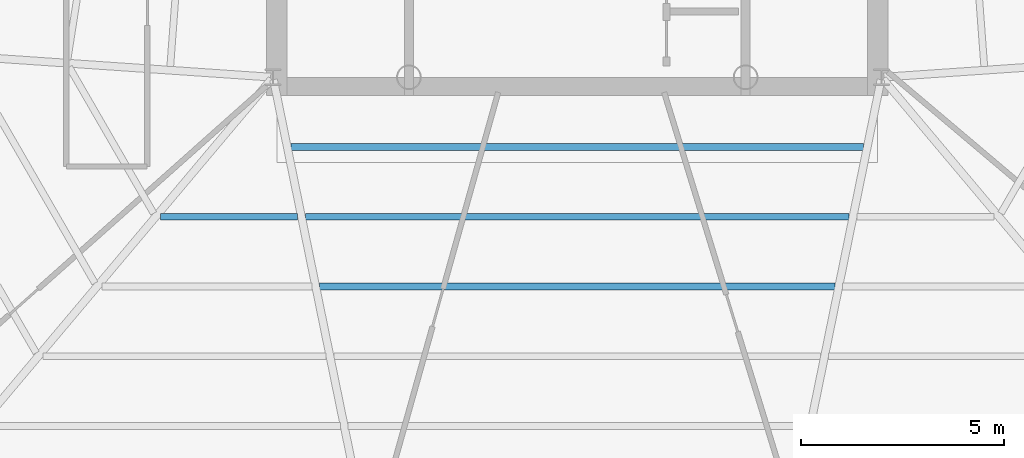
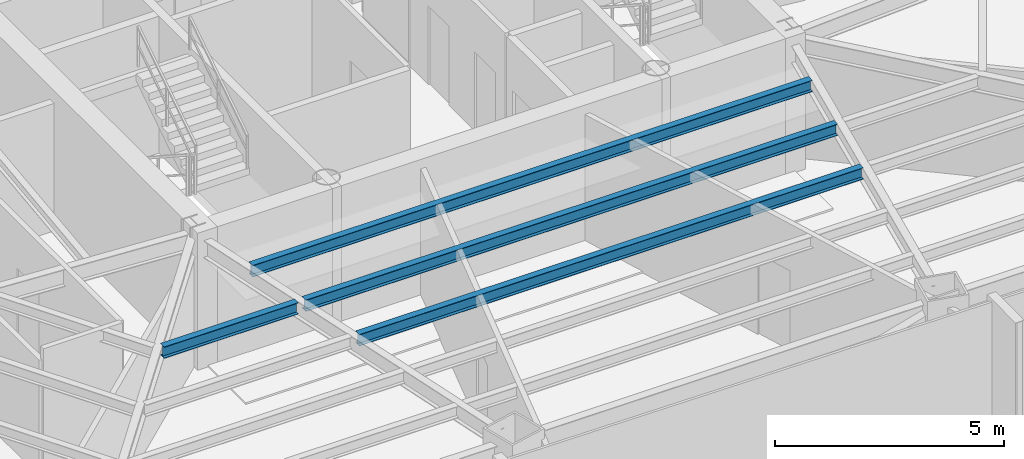
# One storey, part 11 of 39: 4 beams.
"""IFC4 building model written with IfcOpenShell, lengths in metres."""

from ifc_helpers import new_model, si_unit, direction, frame, origin, origin_2d, place, context, subcontext, project, spatial, i_section, extrude, source, transform, mapped, material, material_profile, profile_set, type_object, type_shapes, element, save


model = new_model("IFC4")

# Units and contexts
model_context = context("Model", 3, precision=1e-05, world=origin(), true_north=direction((0.0, 1.0)))
body_context = subcontext(model_context, "Body", "Model", "MODEL_VIEW")
ifc_project = project(units=[si_unit("LENGTHUNIT", "METRE"), si_unit("AREAUNIT", "SQUARE_METRE"), si_unit("VOLUMEUNIT", "CUBIC_METRE"), si_unit("PLANEANGLEUNIT", "RADIAN"), si_unit("MASSUNIT", "GRAM", prefix="KILO")], contexts=[model_context])

# Site, building, storey
site_placement = place(None, origin())
site = spatial("IfcSite", under=ifc_project, at=site_placement, CompositionType="ELEMENT")
building_placement = place(site_placement, origin())
building = spatial("IfcBuilding", under=site, at=building_placement, Name="Caelisora Broadcast Tower", CompositionType="ELEMENT")
storey_placement = place(building_placement, frame((0.0, 0.0, 139.10009765625)))
storey = spatial("IfcBuildingStorey", under=building, at=storey_placement, Name="L36", CompositionType="ELEMENT", Elevation=139.10009765625)

# Beams
ifc_material = material(Name="Steel Grade 350 (AS/NZS 3679.1)", Category="steel")
ifc_material_profile = material_profile(ifc_material, i_section(OverallWidth=0.166015625, OverallDepth=0.30712890625, WebThickness=0.006591796875, FlangeThickness=0.01171875, at=origin_2d()), Name="Steel Grade 350 (AS/NZS 3679.1)")
ifc_profile_set = profile_set([ifc_material_profile], Name="Steel Grade 350 (AS/NZS 3679.1)")
beam_type = type_object("IfcBeamType", Name="SB03", PredefinedType="JOIST", material=ifc_profile_set)
shared_shape_1 = source(origin(), body_context, "Body", "SweptSolid", [
    extrude(i_section(OverallWidth=0.166015625, OverallDepth=0.30712890625, WebThickness=0.006591796875, FlangeThickness=0.01171875, at=origin_2d()), origin(), (0.0, 0.0, 1.0), 3.380126953125),
])
beam_1_placement = place(storey_placement, frame((27.727294921875, 13.960205078125, 3.246337890625), z_axis=(1.0, 0.0, 0.0), x_axis=(0.0, 1.0, 0.0)))
element("IfcBeam", 1, at=beam_1_placement, inside=storey, type_object=beam_type, Name="L36 beam SB03", PredefinedType="JOIST", context=body_context, shape_type="MappedRepresentation", body=[
    mapped(shared_shape_1, transform((0.0, 0.0, 0.0), scale=1.0)),
])
shared_shape_2 = source(origin(), body_context, "Body", "SweptSolid", [
    extrude(i_section(OverallWidth=0.166015625, OverallDepth=0.30712890625, WebThickness=0.006591796875, FlangeThickness=0.01171875, at=origin_2d()), origin(), (0.0, 0.0, 1.0), 14.109375),
])
beam_2_placement = place(storey_placement, frame((30.9453125, 15.68017578125, 3.246337890625), z_axis=(1.0, 0.0, 0.0), x_axis=(0.0, 1.0, 0.0)))
element("IfcBeam", 2, at=beam_2_placement, inside=storey, type_object=beam_type, Name="L36 beam SB03", PredefinedType="JOIST", context=body_context, shape_type="MappedRepresentation", body=[
    mapped(shared_shape_2, transform((0.0, 0.0, 0.0), scale=1.0)),
])
shared_shape_3 = source(origin(), body_context, "Body", "SweptSolid", [
    extrude(i_section(OverallWidth=0.166015625, OverallDepth=0.30712890625, WebThickness=0.006591796875, FlangeThickness=0.01171875, at=origin_2d()), origin(), (0.0, 0.0, 1.0), 13.4072265625),
])
beam_3_placement = place(storey_placement, frame((31.29638671875, 13.960205078125, 3.246337890625), z_axis=(1.0, 0.0, 0.0), x_axis=(0.0, 1.0, 0.0)))
element("IfcBeam", 3, at=beam_3_placement, inside=storey, type_object=beam_type, Name="L36 beam SB03", PredefinedType="JOIST", context=body_context, shape_type="MappedRepresentation", body=[
    mapped(shared_shape_3, transform((0.0, 0.0, 0.0), scale=1.0)),
])
shared_shape_4 = source(origin(), body_context, "Body", "SweptSolid", [
    extrude(i_section(OverallWidth=0.166015625, OverallDepth=0.30712890625, WebThickness=0.006591796875, FlangeThickness=0.01171875, at=origin_2d()), origin(), (0.0, 0.0, 1.0), 12.70556640625),
])
type_shapes(beam_type, [shared_shape_1, shared_shape_2, shared_shape_3, shared_shape_4])
beam_4_placement = place(storey_placement, frame((31.647216796875, 12.240478515625, 3.246337890625), z_axis=(1.0, 0.0, 0.0), x_axis=(0.0, 1.0, 0.0)))
element("IfcBeam", 4, at=beam_4_placement, inside=storey, type_object=beam_type, Name="L36 beam SB03", PredefinedType="JOIST", context=body_context, shape_type="MappedRepresentation", body=[
    mapped(shared_shape_4, transform((0.0, 0.0, 0.0), scale=1.0)),
])

save(model, "model.ifc")
